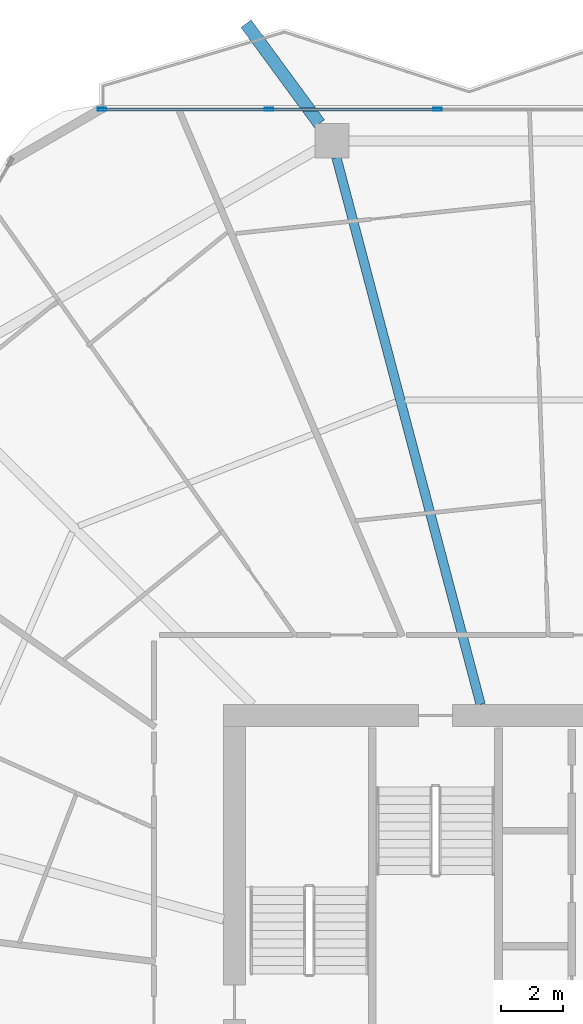
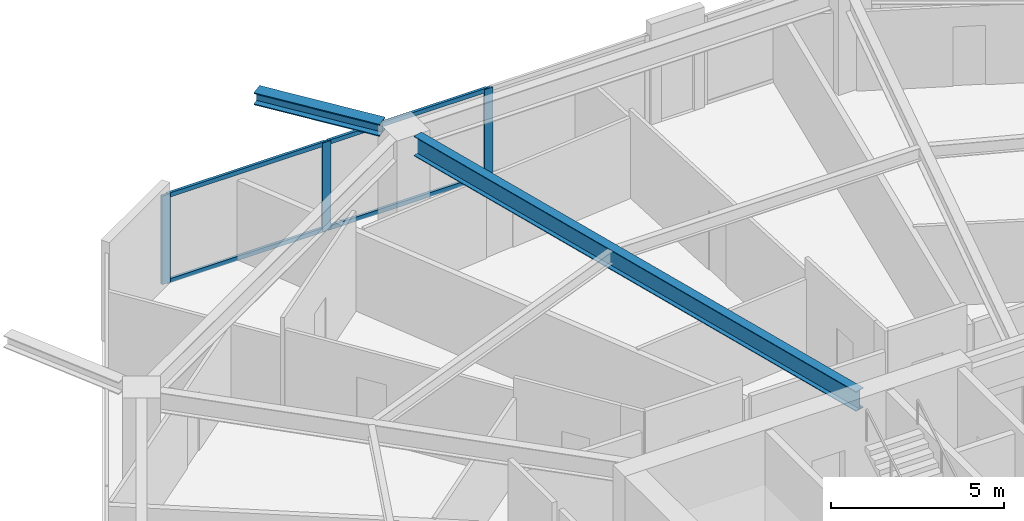
# One storey, part 16 of 33: 7 members, 2 beams, 1 element without a shape of its own.
"""IFC4 building model written with IfcOpenShell, lengths in metres."""

from ifc_helpers import new_model, si_unit, direction, frame, origin, origin_2d, place, context, subcontext, project, spatial, hollow_rectangle, i_section, extrude, material, material_profile, profile_set, type_object, element, aggregate, save


model = new_model("IFC4")

# Units and contexts
model_context = context("Model", 3, precision=1e-05, world=origin(), true_north=direction((0.0, 1.0)))
body_context = subcontext(model_context, "Body", "Model", "MODEL_VIEW")
ifc_project = project(units=[si_unit("LENGTHUNIT", "METRE"), si_unit("AREAUNIT", "SQUARE_METRE"), si_unit("VOLUMEUNIT", "CUBIC_METRE"), si_unit("PLANEANGLEUNIT", "RADIAN"), si_unit("MASSUNIT", "GRAM", prefix="KILO")], contexts=[model_context])

# Site, building, storey
site_placement = place(None, origin())
site = spatial("IfcSite", under=ifc_project, at=site_placement, CompositionType="ELEMENT")
building_placement = place(site_placement, origin())
building = spatial("IfcBuilding", under=site, at=building_placement, Name="Zuhravey Tower", CompositionType="ELEMENT")
storey_placement = place(building_placement, frame((0.0, 0.0, 103.800048828125)))
storey = spatial("IfcBuildingStorey", under=building, at=storey_placement, Name="L25", CompositionType="ELEMENT", Elevation=103.800048828125)

# Curtain wall, members
ifc_material_1 = material(Name="Thermally broken anodised aluminium", Category="aluminium")
curtain_wall_type = type_object("IfcCurtainWallType", Name="Zone 1-2 Residential Curtain Wall CW3", PredefinedType="NOTDEFINED", material=ifc_material_1)
curtain_wall_placement = place(storey_placement, origin())
curtain_wall = element("IfcCurtainWall", 1, at=curtain_wall_placement, inside=storey, type_object=curtain_wall_type, Name="L25 CW3 CW-L25-F2-1", PredefinedType="NOTDEFINED")
ifc_material_2 = material(Name="Anodised aluminium", Category="aluminium")
ifc_material_profile_1 = material_profile(ifc_material_2, hollow_rectangle(XDim=0.090087890625, YDim=0.284912109375, WallThickness=0.0048828125, at=origin_2d()), Name="ALU-RHS-90x285x5")
ifc_profile_set_1 = profile_set([ifc_material_profile_1], Name="Anodised aluminium")
member_type_1 = type_object("IfcMemberType", Name="Curtain-Wall Mullion 90x180", PredefinedType="MULLION", material=ifc_profile_set_1)
member_1_placement = place(storey_placement, frame((21.24560546875, 60.95849609375, 0.0), z_axis=(0.0, 0.0, 1.0), x_axis=(0.0, 1.0, 0.0)))
member_1 = element("IfcMember", 2, at=member_1_placement, type_object=member_type_1, Name="CW3 mullion 1", PredefinedType="MULLION", context=body_context, shape_type="SweptSolid", body=[
    extrude(hollow_rectangle(XDim=0.090087890625, YDim=0.284912109375, WallThickness=0.0048828125, at=origin_2d()), origin(), (0.0, 0.0, 1.0), 3.1220703125),
])
member_2_placement = place(storey_placement, frame((26.60888671875, 60.95849609375, 0.0), z_axis=(0.0, 0.0, 1.0), x_axis=(0.0, 1.0, 0.0)))
member_2 = element("IfcMember", 3, at=member_2_placement, type_object=member_type_1, Name="CW3 mullion 2", PredefinedType="MULLION", context=body_context, shape_type="SweptSolid", body=[
    extrude(hollow_rectangle(XDim=0.090087890625, YDim=0.284912109375, WallThickness=0.0048828125, at=origin_2d()), origin(), (0.0, 0.0, 1.0), 3.1220703125),
])
member_3_placement = place(storey_placement, frame((32.017578125, 60.95849609375, 0.0), z_axis=(0.0, 0.0, 1.0), x_axis=(0.0, 1.0, 0.0)))
member_3 = element("IfcMember", 4, at=member_3_placement, type_object=member_type_1, Name="CW3 mullion 3", PredefinedType="MULLION", context=body_context, shape_type="SweptSolid", body=[
    extrude(hollow_rectangle(XDim=0.090087890625, YDim=0.284912109375, WallThickness=0.0048828125, at=origin_2d()), origin(), (0.0, 0.0, 1.0), 3.1220703125),
])
ifc_material_profile_2 = material_profile(ifc_material_2, hollow_rectangle(XDim=0.090087890625, YDim=0.14990234375, WallThickness=0.0048828125, at=origin_2d()), Name="ALU-RHS-90x150x5")
ifc_profile_set_2 = profile_set([ifc_material_profile_2], Name="Anodised aluminium")
member_type_2 = type_object("IfcMemberType", Name="Curtain-Wall Transom 90x150", PredefinedType="USERDEFINED", material=ifc_profile_set_2)
member_4_placement = place(storey_placement, frame((21.29052734375, 60.95849609375, 0.044921875), z_axis=(1.0, 0.0, 0.0), x_axis=(0.0, 1.0, 0.0)))
member_4 = element("IfcMember", 5, at=member_4_placement, type_object=member_type_2, Name="CW3 transom 1.1", ObjectType="TRANSOM", PredefinedType="USERDEFINED", context=body_context, shape_type="SweptSolid", body=[
    extrude(hollow_rectangle(XDim=0.090087890625, YDim=0.14990234375, WallThickness=0.0048828125, at=origin_2d()), origin(), (0.0, 0.0, 1.0), 5.2734375),
])
member_5_placement = place(storey_placement, frame((21.29052734375, 60.95849609375, 3.076904296875), z_axis=(1.0, 0.0, 0.0), x_axis=(0.0, 1.0, 0.0)))
member_5 = element("IfcMember", 6, at=member_5_placement, type_object=member_type_2, Name="CW3 transom 1.2", ObjectType="TRANSOM", PredefinedType="USERDEFINED", context=body_context, shape_type="SweptSolid", body=[
    extrude(hollow_rectangle(XDim=0.090087890625, YDim=0.14990234375, WallThickness=0.0048828125, at=origin_2d()), origin(), (0.0, 0.0, 1.0), 5.2734375),
])
member_6_placement = place(storey_placement, frame((26.654052734375, 60.95849609375, 0.044921875), z_axis=(1.0, 0.0, 0.0), x_axis=(0.0, 1.0, 0.0)))
member_6 = element("IfcMember", 7, at=member_6_placement, type_object=member_type_2, Name="CW3 transom 2.1", ObjectType="TRANSOM", PredefinedType="USERDEFINED", context=body_context, shape_type="SweptSolid", body=[
    extrude(hollow_rectangle(XDim=0.090087890625, YDim=0.14990234375, WallThickness=0.0048828125, at=origin_2d()), origin(), (0.0, 0.0, 1.0), 5.318359375),
])
member_7_placement = place(storey_placement, frame((26.654052734375, 60.95849609375, 3.076904296875), z_axis=(1.0, 0.0, 0.0), x_axis=(0.0, 1.0, 0.0)))
member_7 = element("IfcMember", 8, at=member_7_placement, type_object=member_type_2, Name="CW3 transom 2.2", ObjectType="TRANSOM", PredefinedType="USERDEFINED", context=body_context, shape_type="SweptSolid", body=[
    extrude(hollow_rectangle(XDim=0.090087890625, YDim=0.14990234375, WallThickness=0.0048828125, at=origin_2d()), origin(), (0.0, 0.0, 1.0), 5.318359375),
])
aggregate(curtain_wall, [member_1, member_2, member_3, member_4, member_5, member_6, member_7])

# Beams
ifc_material_3 = material(Name="Steel SM460", Category="steel")
ifc_material_profile_3 = material_profile(ifc_material_3, i_section(OverallWidth=0.406982421875, OverallDepth=0.427978515625, WebThickness=0.02001953125, FlangeThickness=0.034912109375, at=origin_2d()), Name="H-428x407x20x35")
ifc_profile_set_3 = profile_set([ifc_material_profile_3], Name="Steel SM460")
beam_type_1 = type_object("IfcBeamType", Name="Exoskeleton Node Tie Beam H428x407", PredefinedType="BEAM", material=ifc_profile_set_3)
beam_1_placement = place(storey_placement, frame((28.223876953125, 60.501708984375, 3.3359375), z_axis=(-0.591653859, 0.806192105599, 0.0), x_axis=(-0.806192105599, -0.591653859, 0.0)))
element("IfcBeam", 9, at=beam_1_placement, inside=storey, type_object=beam_type_1, Name="L25 Exoskeleton Node Tie NT1-04", PredefinedType="BEAM", context=body_context, shape_type="SweptSolid", body=[
    extrude(i_section(OverallWidth=0.406982421875, OverallDepth=0.427978515625, WebThickness=0.02001953125, FlangeThickness=0.034912109375, at=origin_2d()), origin(), (0.0, 0.0, 1.0), 3.974853515625),
])
ifc_material_4 = material(Name="Steel SM355", Category="steel")
ifc_material_profile_4 = material_profile(ifc_material_4, i_section(OverallWidth=0.300048828125, OverallDepth=0.699951171875, WebThickness=0.012939453125, FlangeThickness=0.02392578125, at=origin_2d()), Name="H-700x300x13x24")
ifc_profile_set_4 = profile_set([ifc_material_profile_4], Name="Steel SM355")
beam_type_2 = type_object("IfcBeamType", Name="Radial Primary Girder H700x300", PredefinedType="BEAM", material=ifc_profile_set_4)
beam_2_placement = place(storey_placement, frame((33.40185546875, 41.85302734375, 3.199951171875), z_axis=(-0.25498755891, 0.966944333869, 0.0), x_axis=(-0.966944333869, -0.25498755891, 0.0)))
element("IfcBeam", 10, at=beam_2_placement, inside=storey, type_object=beam_type_2, Name="L25 RG1 BM-L25-RAD-04", PredefinedType="BEAM", context=body_context, shape_type="SweptSolid", body=[
    extrude(i_section(OverallWidth=0.300048828125, OverallDepth=0.699951171875, WebThickness=0.012939453125, FlangeThickness=0.02392578125, at=origin_2d()), origin(), (0.0, 0.0, 1.0), 18.1611328125),
])

save(model, "model.ifc")
